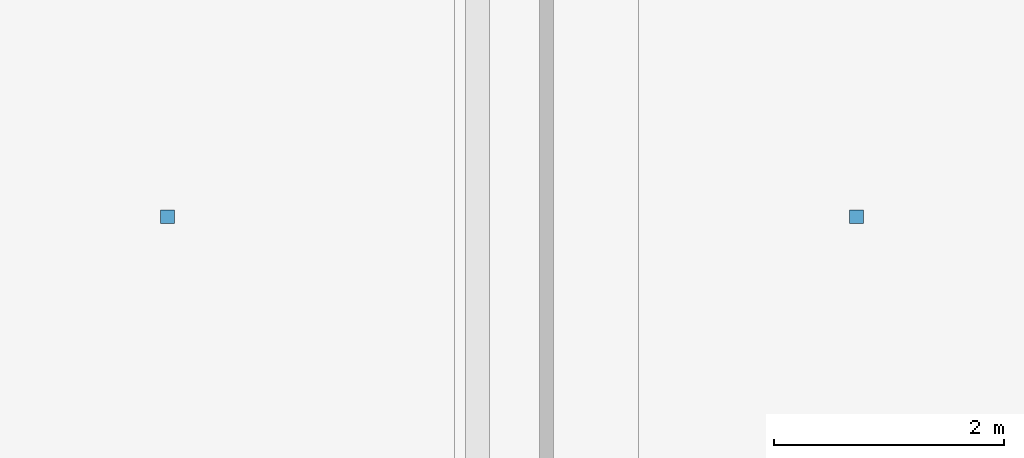
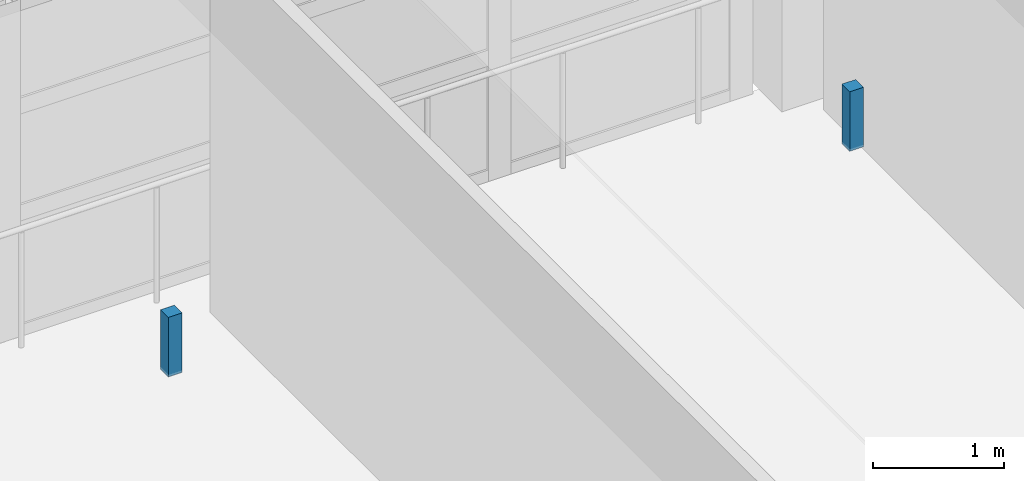
# One storey, part 93 of 118: 2 discrete accessories.
"""IFC4 building model written with IfcOpenShell, lengths in metres."""

from ifc_helpers import new_model, si_unit, direction, frame, origin, origin_2d, place, context, subcontext, project, spatial, rectangle, extrude, material, layer, layer_set, type_object, element, save


model = new_model("IFC4")

# Units and contexts
model_context = context("Model", 3, precision=1e-05, world=origin(), true_north=direction((0.0, 1.0)))
body_context = subcontext(model_context, "Body", "Model", "MODEL_VIEW")
ifc_project = project(units=[si_unit("LENGTHUNIT", "METRE"), si_unit("AREAUNIT", "SQUARE_METRE"), si_unit("VOLUMEUNIT", "CUBIC_METRE"), si_unit("PLANEANGLEUNIT", "RADIAN"), si_unit("MASSUNIT", "GRAM", prefix="KILO")], contexts=[model_context])

# Site, building, storey
site_placement = place(None, origin())
site = spatial("IfcSite", under=ifc_project, at=site_placement, CompositionType="ELEMENT")
building_placement = place(site_placement, origin())
building = spatial("IfcBuilding", under=site, at=building_placement, Name="Luwafu Chhajja Arena", CompositionType="ELEMENT")
storey_placement = place(building_placement, frame((0.0, 0.0, 10.199951171875)))
storey = spatial("IfcBuildingStorey", under=building, at=storey_placement, Name="L02", CompositionType="ELEMENT", Elevation=10.199951171875)

# Discrete accessories
ifc_material = material(Name="Stainless steel bracket", Category="steel")
ifc_layer = layer(ifc_material, 0.179931640625, Name="Stainless steel bracket")
ifc_layer_set = layer_set([ifc_layer], Name="Stainless steel bracket")
discrete_accessory_type = type_object("IfcDiscreteAccessoryType", Name="Stainless Steel Facade Support Bracket", PredefinedType="BRACKET", material=ifc_layer_set)
for number, where, z_axis, x_axis, name in (
    (1, (119.300048828125, 16.5, 3.63623046875), (0.0, 0.0, 1.0), (1.0, 0.0, 0.0), "L02 Ceiling Suspension Hanger 045"),
    (2, (125.300048828125, 16.5, 3.63623046875), (0.0, 0.0, 1.0), (1.0, 0.0, 0.0), "L02 Ceiling Suspension Hanger 046"),
):
    element("IfcDiscreteAccessory", number, at=place(storey_placement, frame(where, z_axis=z_axis, x_axis=x_axis)), inside=storey, type_object=discrete_accessory_type, Name=name, PredefinedType="BRACKET", context=body_context, shape_type="SweptSolid", body=[
        extrude(rectangle(XDim=0.1201171875, YDim=0.1201171875, at=origin_2d()), origin(), (0.0, 0.0, 1.0), 0.553955078125),
    ])

save(model, "model.ifc")
